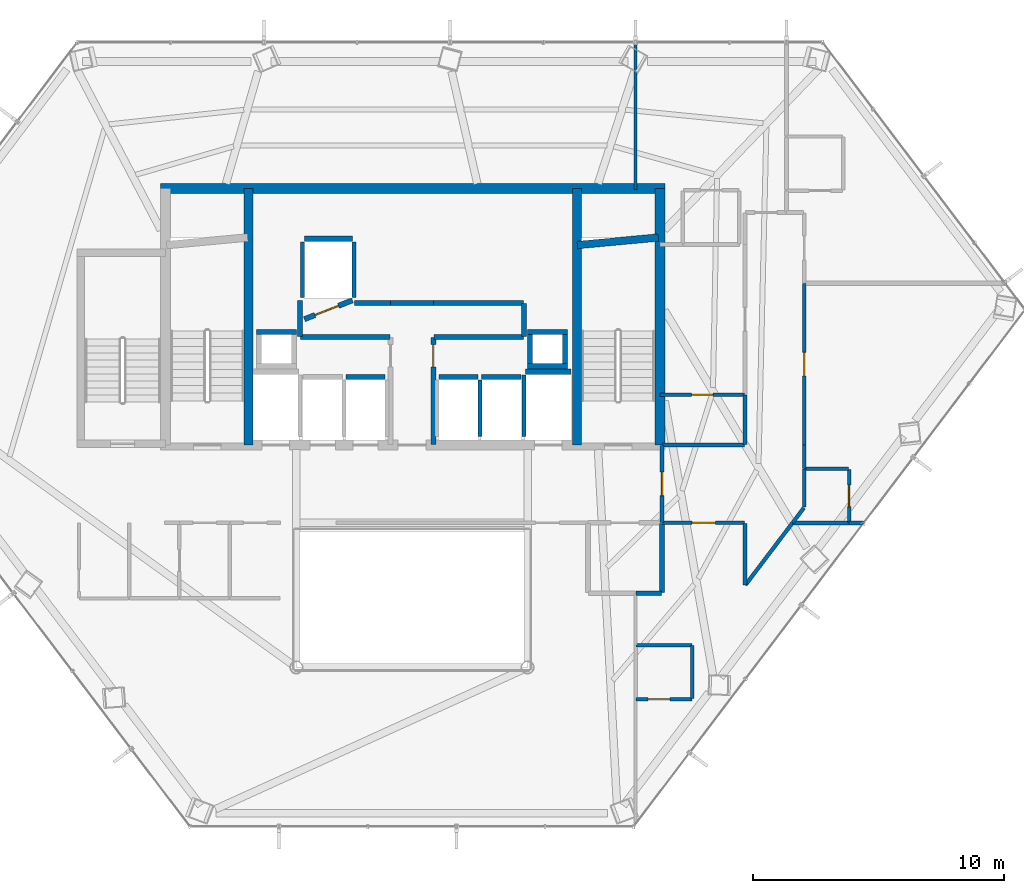
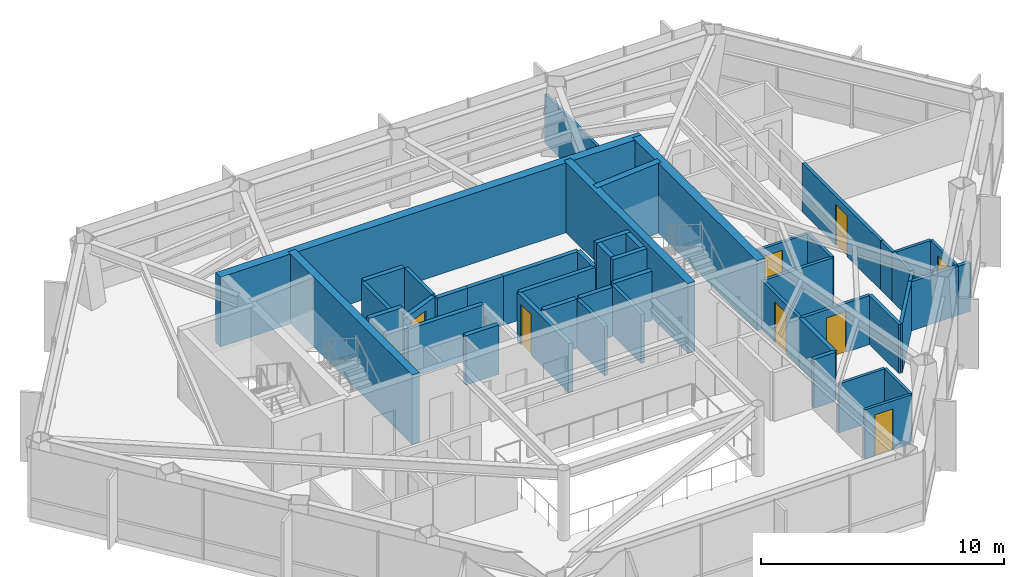
# One storey, part 28 of 30: 49 walls, 8 doors, 8 openings.
"""IFC4 building model written with IfcOpenShell, lengths in metres."""

from ifc_helpers import new_model, si_unit, direction, frame, frame_2d, origin, place, context, subcontext, project, spatial, rectangle, extrude, material, layer, layer_set, type_object, element, fill, save


model = new_model("IFC4")

# Units and contexts
model_context = context("Model", 3, precision=1e-05, world=origin(), true_north=direction((0.0, 1.0)))
body_context = subcontext(model_context, "Body", "Model", "MODEL_VIEW")
ifc_project = project(units=[si_unit("LENGTHUNIT", "METRE"), si_unit("AREAUNIT", "SQUARE_METRE"), si_unit("VOLUMEUNIT", "CUBIC_METRE"), si_unit("PLANEANGLEUNIT", "RADIAN"), si_unit("MASSUNIT", "GRAM", prefix="KILO")], contexts=[model_context])

# Site, building, storey
site_placement = place(None, origin())
site = spatial("IfcSite", under=ifc_project, at=site_placement, CompositionType="ELEMENT")
building_placement = place(site_placement, origin())
building = spatial("IfcBuilding", under=site, at=building_placement, Name="Zarrinselat Tower", CompositionType="ELEMENT")
storey_placement = place(building_placement, frame((0.0, 0.0, 130.89990234375)))
storey = spatial("IfcBuildingStorey", under=building, at=storey_placement, Name="L31", CompositionType="ELEMENT", Elevation=130.89990234375)

# Walls
ifc_material_1 = material(Name="Fire-Rated Gypsum Board Partition", Category="gypsum")
ifc_layer_1 = layer(ifc_material_1, 0.1650390625)
ifc_layer_set_1 = layer_set([ifc_layer_1], Name="Fire-Rated Gypsum Board Partition")
wall_type_1 = type_object("IfcWallType", Name="WAL-PART-DEMISE", PredefinedType="PARTITIONING", material=ifc_layer_set_1)
wall_1_placement = place(storey_placement, frame((55.7919921875, 30.14990234375, 0.0), z_axis=(0.0, 0.0, 1.0), x_axis=(1.0, 0.0, 0.0)))
element("IfcWall", 1, at=wall_1_placement, inside=storey, type_object=wall_type_1, Name="L31 Partition Wall 49", PredefinedType="PARTITIONING", context=body_context, shape_type="SweptSolid", body=[
    extrude(rectangle(XDim=0.565185546875, YDim=0.1650390625, at=frame_2d((0.28271484375, 0.0))), origin(), (0.0, 0.0, 1.0), 2.45703125),
])
wall_2_placement = place(storey_placement, frame((53.556884765625, 30.14990234375, 0.0), z_axis=(0.0, 0.0, 1.0), x_axis=(1.0, 0.0, 0.0)))
element("IfcWall", 2, at=wall_2_placement, inside=storey, type_object=wall_type_1, Name="L31 Partition Wall 50", PredefinedType="PARTITIONING", context=body_context, shape_type="SweptSolid", body=[
    extrude(rectangle(XDim=2.22509765625, YDim=0.1650390625, at=frame_2d((1.112548828125, 0.0))), origin(), (0.0, 0.0, 1.0), 2.45703125),
])
ifc_material_2 = material(Name="Concrete C40/50", Category="concrete")
ifc_layer_2 = layer(ifc_material_2, 0.18994140625)
ifc_layer_set_2 = layer_set([ifc_layer_2], Name="Concrete C40/50")
wall_type_2 = type_object("IfcWallType", Name="WAL-PART-EI120", PredefinedType="PARTITIONING", material=ifc_layer_set_2)
wall_3_placement = place(storey_placement, frame((47.304931640625, 27.35009765625, 0.0), z_axis=(0.0, 0.0, 1.0), x_axis=(1.0, 0.0, 0.0)))
element("IfcWall", 3, at=wall_3_placement, inside=storey, type_object=wall_type_2, Name="L31 Partition Wall 18", PredefinedType="PARTITIONING", context=body_context, shape_type="SweptSolid", body=[
    extrude(rectangle(XDim=1.025146484375, YDim=0.18994140625, at=frame_2d((0.5126953125, 0.0))), origin(), (0.0, 0.0, 1.0), 2.45703125),
])
wall_4_placement = place(storey_placement, frame((48.35009765625, 27.3701171875, 0.0), z_axis=(0.0, 0.0, 1.0), x_axis=(0.0, 1.0, 0.0)))
element("IfcWall", 4, at=wall_4_placement, inside=storey, type_object=wall_type_2, Name="L31 Partition Wall 19", PredefinedType="PARTITIONING", context=body_context, shape_type="SweptSolid", body=[
    extrude(rectangle(XDim=2.759765625, YDim=0.18994140625, at=frame_2d((1.3798828125, 0.0))), origin(), (0.0, 0.0, 1.0), 2.45703125),
])

# Wall, opening, door
ifc_material_3 = material(Name="Fire-Rated Gypsum Board Partition", Category="gypsum")
ifc_layer_3 = layer(ifc_material_3, 0.14990234375)
ifc_layer_set_3 = layer_set([ifc_layer_3], Name="Fire-Rated Gypsum Board Partition")
wall_type_3 = type_object("IfcWallType", Name="WAL-PART-EI60", PredefinedType="PARTITIONING", material=ifc_layer_set_3)
wall_5_placement = place(storey_placement, frame((48.35009765625, 30.169921875, 0.0), z_axis=(0.0, 0.0, 1.0), x_axis=(0.0, 1.0, 0.0)))
wall_5 = element("IfcWall", 5, at=wall_5_placement, inside=storey, type_object=wall_type_3, Name="L31 Partition Wall 11", PredefinedType="PARTITIONING", context=body_context, shape_type="SweptSolid", body=[
    extrude(rectangle(XDim=3.06005859375, YDim=0.14990234375, at=frame_2d((1.530029296875, 0.0))), origin(), (0.0, 0.0, 1.0), 2.45703125),
])
opening_1_placement = place(wall_5_placement, frame((1.06005859375, 0.0, 0.0)))
opening_1 = element("IfcOpeningElement", 6, at=opening_1_placement, cuts=wall_5, Name="Opening ID-04", PredefinedType="OPENING", context=body_context, shape_type="SweptSolid", body=[
    extrude(rectangle(XDim=0.93994140625, YDim=2.050048828125, at=frame_2d((0.469970703125, 1.02490234375))), frame((0.0, 0.0849609375, 0.0), z_axis=(0.0, -1.0, 0.0), x_axis=(1.0, 0.0, 0.0)), (0.0, 0.0, 1.0), 0.169921875),
])
ifc_material_4 = material(Name="Fire-Rated Gypsum Board Partition")
door_type_1 = type_object("IfcDoorType", Name="DR-INT-FD30-ENT", OperationType="NOTDEFINED", PredefinedType="DOOR", material=ifc_material_4)
door_1_placement = place(opening_1_placement, origin())
door_1 = element("IfcDoor", 7, at=door_1_placement, inside=storey, type_object=door_type_1, Name="L31 Interior Door P11", OperationType="SINGLE_SWING_LEFT", OverallHeight=2.050048828125, OverallWidth=0.93994140625, PredefinedType="DOOR", context=body_context, shape_type="SweptSolid", body=[
    extrude(rectangle(XDim=0.93994140625, YDim=2.050048828125, at=frame_2d((0.469970703125, 1.02490234375))), frame((0.0, 0.02490234375, 0.0), z_axis=(0.0, -1.0, 0.0), x_axis=(1.0, 0.0, 0.0)), (0.0, 0.0, 1.0), 0.050048828125),
])
fill(opening_1, door_1)

# Walls
wall_6_placement = place(storey_placement, frame((51.662109375, 27.67529296875, 0.0), z_axis=(0.0, 0.0, 1.0), x_axis=(0.603831940294, 0.797111653334, 0.0)))
element("IfcWall", 8, at=wall_6_placement, inside=storey, type_object=wall_type_3, Name="L31 Partition Wall 20", PredefinedType="PARTITIONING", context=body_context, shape_type="SweptSolid", body=[
    extrude(rectangle(XDim=3.103515625, YDim=0.14990234375, at=frame_2d((1.5517578125, 0.0))), origin(), (0.0, 0.0, 1.0), 2.45703125),
])
wall_7_placement = place(storey_placement, frame((51.64990234375, 27.67919921875, 0.0), z_axis=(0.0, 0.0, 1.0), x_axis=(0.0, 1.0, 0.0)))
element("IfcWall", 9, at=wall_7_placement, inside=storey, type_object=wall_type_3, Name="L31 Partition Wall 21", PredefinedType="PARTITIONING", context=body_context, shape_type="SweptSolid", body=[
    extrude(rectangle(XDim=2.45068359375, YDim=0.14990234375, at=frame_2d((1.225341796875, 0.0))), origin(), (0.0, 0.0, 1.0), 2.45703125),
])

# Wall, opening, door
wall_8_placement = place(storey_placement, frame((48.3701171875, 30.14990234375, 0.0), z_axis=(0.0, 0.0, 1.0), x_axis=(1.0, 0.0, 0.0)))
wall_8 = element("IfcWall", 10, at=wall_8_placement, inside=storey, type_object=wall_type_3, Name="L31 Partition Wall 22", PredefinedType="PARTITIONING", context=body_context, shape_type="SweptSolid", body=[
    extrude(rectangle(XDim=3.259765625, YDim=0.14990234375, at=frame_2d((1.6298828125, 0.0))), origin(), (0.0, 0.0, 1.0), 2.45703125),
])
opening_2_placement = place(wall_8_placement, frame((1.159912109375, 0.0, 0.0)))
opening_2 = element("IfcOpeningElement", 11, at=opening_2_placement, cuts=wall_8, Name="Opening ID-04", PredefinedType="OPENING", context=body_context, shape_type="SweptSolid", body=[
    extrude(rectangle(XDim=0.93994140625, YDim=2.050048828125, at=frame_2d((0.469970703125, 1.02490234375))), frame((0.0, 0.0849609375, 0.0), z_axis=(0.0, -1.0, 0.0), x_axis=(1.0, 0.0, 0.0)), (0.0, 0.0, 1.0), 0.169921875),
])
door_2_placement = place(opening_2_placement, origin())
door_2 = element("IfcDoor", 12, at=door_2_placement, inside=storey, type_object=door_type_1, Name="L31 Interior Door P22", OperationType="SINGLE_SWING_LEFT", OverallHeight=2.050048828125, OverallWidth=0.93994140625, PredefinedType="DOOR", context=body_context, shape_type="SweptSolid", body=[
    extrude(rectangle(XDim=0.93994140625, YDim=2.050048828125, at=frame_2d((0.469970703125, 1.02490234375))), frame((0.0, 0.02490234375, 0.0), z_axis=(0.0, -1.0, 0.0), x_axis=(1.0, 0.0, 0.0)), (0.0, 0.0, 1.0), 0.050048828125),
])
fill(opening_2, door_2)

wall_9_placement = place(storey_placement, frame((54.0, 33.25, 0.0), z_axis=(0.0, 0.0, 1.0), x_axis=(0.0, 1.0, 0.0)))
wall_9 = element("IfcWall", 13, at=wall_9_placement, inside=storey, type_object=wall_type_3, Name="L31 Partition Wall 23", PredefinedType="PARTITIONING", context=body_context, shape_type="SweptSolid", body=[
    extrude(rectangle(XDim=6.42333984375, YDim=0.14990234375, at=frame_2d((3.211669921875, 0.0))), origin(), (0.0, 0.0, 1.0), 2.45703125),
])
opening_3_placement = place(wall_9_placement, frame((2.74169921875, 0.0, 0.0)))
opening_3 = element("IfcOpeningElement", 14, at=opening_3_placement, cuts=wall_9, Name="Opening ID-04", PredefinedType="OPENING", context=body_context, shape_type="SweptSolid", body=[
    extrude(rectangle(XDim=0.93994140625, YDim=2.050048828125, at=frame_2d((0.469970703125, 1.02490234375))), frame((0.0, 0.0849609375, 0.0), z_axis=(0.0, -1.0, 0.0), x_axis=(1.0, 0.0, 0.0)), (0.0, 0.0, 1.0), 0.169921875),
])
door_3_placement = place(opening_3_placement, origin())
door_3 = element("IfcDoor", 15, at=door_3_placement, inside=storey, type_object=door_type_1, Name="L31 Interior Door P23", OperationType="SINGLE_SWING_RIGHT", OverallHeight=2.050048828125, OverallWidth=0.93994140625, PredefinedType="DOOR", context=body_context, shape_type="SweptSolid", body=[
    extrude(rectangle(XDim=0.93994140625, YDim=2.050048828125, at=frame_2d((0.469970703125, 1.02490234375))), frame((0.0, 0.02490234375, 0.0), z_axis=(0.0, -1.0, 0.0), x_axis=(1.0, 0.0, 0.0)), (0.0, 0.0, 1.0), 0.050048828125),
])
fill(opening_3, door_3)

# Walls
wall_10_placement = place(storey_placement, frame((54.0, 32.304931640625, 0.0), z_axis=(0.0, 0.0, 1.0), x_axis=(0.0, 1.0, 0.0)))
element("IfcWall", 16, at=wall_10_placement, inside=storey, type_object=wall_type_3, Name="L31 Partition Wall 24", PredefinedType="PARTITIONING", context=body_context, shape_type="SweptSolid", body=[
    extrude(rectangle(XDim=0.945068359375, YDim=0.14990234375, at=frame_2d((0.47265625, 0.0))), origin(), (0.0, 0.0, 1.0), 2.45703125),
])
wall_11_placement = place(storey_placement, frame((54.0, 30.78125, 0.0), z_axis=(0.0, 0.0, 1.0), x_axis=(0.0, 1.0, 0.0)))
element("IfcWall", 17, at=wall_11_placement, inside=storey, type_object=wall_type_3, Name="L31 Partition Wall 25", PredefinedType="PARTITIONING", context=body_context, shape_type="SweptSolid", body=[
    extrude(rectangle(XDim=1.513671875, YDim=0.14990234375, at=frame_2d((0.7568359375, 0.0))), origin(), (0.0, 0.0, 1.0), 2.45703125),
])
wall_12_placement = place(storey_placement, frame((53.5400390625, 30.154052734375, 0.0), z_axis=(0.0, 0.0, 1.0), x_axis=(0.603680225987, 0.797226557982, 0.0)))
element("IfcWall", 18, at=wall_12_placement, inside=storey, type_object=wall_type_3, Name="L31 Partition Wall 26", PredefinedType="PARTITIONING", context=body_context, shape_type="SweptSolid", body=[
    extrude(rectangle(XDim=0.74169921875, YDim=0.14990234375, at=frame_2d((0.370849609375, 0.0))), origin(), (0.0, 0.0, 1.0), 2.45703125),
])
wall_13_placement = place(storey_placement, frame((48.364990234375, 33.25, 0.0), z_axis=(0.0, 0.0, 1.0), x_axis=(1.0, 0.0, 0.0)))
element("IfcWall", 19, at=wall_13_placement, inside=storey, type_object=wall_type_3, Name="L31 Partition Wall 30", PredefinedType="PARTITIONING", context=body_context, shape_type="SweptSolid", body=[
    extrude(rectangle(XDim=3.264892578125, YDim=0.14990234375, at=frame_2d((1.63232421875, 0.0))), origin(), (0.0, 0.0, 1.0), 2.45703125),
])
wall_14_placement = place(storey_placement, frame((51.64990234375, 33.27001953125, 0.0), z_axis=(0.0, 0.0, 1.0), x_axis=(0.0, 1.0, 0.0)))
element("IfcWall", 20, at=wall_14_placement, inside=storey, type_object=wall_type_3, Name="L31 Partition Wall 31", PredefinedType="PARTITIONING", context=body_context, shape_type="SweptSolid", body=[
    extrude(rectangle(XDim=1.969482421875, YDim=0.14990234375, at=frame_2d((0.98486328125, 0.0))), origin(), (0.0, 0.0, 1.0), 2.45703125),
])
ifc_material_5 = material(Name="Concrete C40/50", Category="concrete")
ifc_layer_4 = layer(ifc_material_5, 0.199951171875)
ifc_layer_set_4 = layer_set([ifc_layer_4], Name="Concrete C40/50")
wall_type_4 = type_object("IfcWallType", Name="WAL-PART-PLANT", PredefinedType="PARTITIONING", material=ifc_layer_set_4)
wall_15_placement = place(storey_placement, frame((33.969970703125, 37.550048828125, 0.0), z_axis=(0.0, 0.0, 1.0), x_axis=(1.0, 0.0, 0.0)))
element("IfcWall", 21, at=wall_15_placement, inside=storey, type_object=wall_type_4, Name="L31 Partition Wall 2", PredefinedType="PARTITIONING", context=body_context, shape_type="SweptSolid", body=[
    extrude(rectangle(XDim=3.56005859375, YDim=0.199951171875, at=frame_2d((1.780029296875, 0.0))), origin(), (0.0, 0.0, 1.0), 2.45703125),
])
wall_16_placement = place(storey_placement, frame((33.949951171875, 37.570068359375, 0.0), z_axis=(0.0, 0.0, 1.0), x_axis=(0.0, 1.0, 0.0)))
element("IfcWall", 22, at=wall_16_placement, inside=storey, type_object=wall_type_4, Name="L31 Partition Wall 3", PredefinedType="PARTITIONING", context=body_context, shape_type="SweptSolid", body=[
    extrude(rectangle(XDim=1.4150390625, YDim=0.199951171875, at=frame_2d((0.70751953125, 0.0))), origin(), (0.0, 0.0, 1.0), 2.45703125),
])
wall_17_placement = place(storey_placement, frame((36.114990234375, 38.889892578125, 0.0), z_axis=(0.0, 0.0, 1.0), x_axis=(1.0, 0.0, 0.0)))
element("IfcWall", 23, at=wall_17_placement, inside=storey, type_object=wall_type_4, Name="L31 Partition Wall 4", PredefinedType="PARTITIONING", context=body_context, shape_type="SweptSolid", body=[
    extrude(rectangle(XDim=1.43505859375, YDim=0.199951171875, at=frame_2d((0.717529296875, 0.0))), origin(), (0.0, 0.0, 1.0), 2.45703125),
])
wall_18_placement = place(storey_placement, frame((37.550048828125, 38.889892578125, 0.0), z_axis=(0.0, 0.0, 1.0), x_axis=(1.0, 0.0, 0.0)))
element("IfcWall", 24, at=wall_18_placement, inside=storey, type_object=wall_type_4, Name="L31 Partition Wall 5", PredefinedType="PARTITIONING", context=body_context, shape_type="SweptSolid", body=[
    extrude(rectangle(XDim=1.699951171875, YDim=0.199951171875, at=frame_2d((0.85009765625, 0.0))), origin(), (0.0, 0.0, 1.0), 2.45703125),
])
wall_19_placement = place(storey_placement, frame((39.25, 38.889892578125, 0.0), z_axis=(0.0, 0.0, 1.0), x_axis=(1.0, 0.0, 0.0)))
element("IfcWall", 25, at=wall_19_placement, inside=storey, type_object=wall_type_4, Name="L31 Partition Wall 6", PredefinedType="PARTITIONING", context=body_context, shape_type="SweptSolid", body=[
    extrude(rectangle(XDim=3.580078125, YDim=0.199951171875, at=frame_2d((1.7900390625, 0.0))), origin(), (0.0, 0.0, 1.0), 2.45703125),
])
wall_20_placement = place(storey_placement, frame((42.85009765625, 37.570068359375, 0.0), z_axis=(0.0, 0.0, 1.0), x_axis=(0.0, 1.0, 0.0)))
element("IfcWall", 26, at=wall_20_placement, inside=storey, type_object=wall_type_4, Name="L31 Partition Wall 7", PredefinedType="PARTITIONING", context=body_context, shape_type="SweptSolid", body=[
    extrude(rectangle(XDim=1.300048828125, YDim=0.199951171875, at=frame_2d((0.64990234375, 0.0))), origin(), (0.0, 0.0, 1.0), 2.45703125),
])
wall_21_placement = place(storey_placement, frame((39.27001953125, 37.550048828125, 0.0), z_axis=(0.0, 0.0, 1.0), x_axis=(1.0, 0.0, 0.0)))
element("IfcWall", 27, at=wall_21_placement, inside=storey, type_object=wall_type_4, Name="L31 Partition Wall 8", PredefinedType="PARTITIONING", context=body_context, shape_type="SweptSolid", body=[
    extrude(rectangle(XDim=3.56005859375, YDim=0.199951171875, at=frame_2d((1.780029296875, 0.0))), origin(), (0.0, 0.0, 1.0), 2.45703125),
])

# Wall, opening, door
wall_22_placement = place(storey_placement, frame((39.25, 33.264892578125, 0.0), z_axis=(0.0, 0.0, 1.0), x_axis=(0.0, 1.0, 0.0)))
wall_22 = element("IfcWall", 28, at=wall_22_placement, inside=storey, type_object=wall_type_4, Name="L31 Partition Wall 9", PredefinedType="PARTITIONING", context=body_context, shape_type="SweptSolid", body=[
    extrude(rectangle(XDim=4.26513671875, YDim=0.199951171875, at=frame_2d((2.132568359375, 0.0))), origin(), (0.0, 0.0, 1.0), 2.45703125),
])
opening_4_placement = place(wall_22_placement, frame((3.092529296875, 0.0, 0.0)))
opening_4 = element("IfcOpeningElement", 29, at=opening_4_placement, cuts=wall_22, Name="Opening ID-03", PredefinedType="OPENING", context=body_context, shape_type="SweptSolid", body=[
    extrude(rectangle(XDim=0.8798828125, YDim=2.050048828125, at=frame_2d((0.43994140625, 1.02490234375))), frame((0.0, 0.10986328125, 0.0), z_axis=(0.0, -1.0, 0.0), x_axis=(1.0, 0.0, 0.0)), (0.0, 0.0, 1.0), 0.219970703125),
])
ifc_material_6 = material(Name="Steel S355J2", Category="steel")
door_type_2 = type_object("IfcDoorType", Name="DR-INT-FD60-S", OperationType="NOTDEFINED", PredefinedType="DOOR", material=ifc_material_6)
door_4_placement = place(opening_4_placement, origin())
door_4 = element("IfcDoor", 30, at=door_4_placement, inside=storey, type_object=door_type_2, Name="L31 Interior Door P9", OperationType="SINGLE_SWING_LEFT", OverallHeight=2.050048828125, OverallWidth=0.8798828125, PredefinedType="DOOR", context=body_context, shape_type="SweptSolid", body=[
    extrude(rectangle(XDim=0.8798828125, YDim=2.050048828125, at=frame_2d((0.43994140625, 1.02490234375))), frame((0.0, 0.02490234375, 0.0), z_axis=(0.0, -1.0, 0.0), x_axis=(1.0, 0.0, 0.0)), (0.0, 0.0, 1.0), 0.050048828125),
])
fill(opening_4, door_4)

# Wall
ifc_material_7 = material(Name="Fire-Rated Gypsum Board Partition", Category="gypsum")
ifc_layer_5 = layer(ifc_material_7, 0.1201171875)
ifc_layer_set_5 = layer_set([ifc_layer_5], Name="Fire-Rated Gypsum Board Partition")
wall_type_5 = type_object("IfcWallType", Name="WAL-PART-STD", PredefinedType="PARTITIONING", material=ifc_layer_set_5)
wall_23_placement = place(storey_placement, frame((47.300048828125, 43.4150390625, 0.0), z_axis=(0.0, 0.0, 1.0), x_axis=(0.0, 1.0, 0.0)))
element("IfcWall", 31, at=wall_23_placement, inside=storey, type_object=wall_type_5, Name="L31 Partition Wall 45", PredefinedType="PARTITIONING", context=body_context, shape_type="SweptSolid", body=[
    extrude(rectangle(XDim=5.836669921875, YDim=0.1201171875, at=frame_2d((2.91845703125, 0.0))), origin(), (0.0, 0.0, 1.0), 2.45703125),
])

# Wall, opening, door
ifc_material_8 = material(Name="Fire-Rated Gypsum Board Partition", Category="gypsum")
ifc_layer_6 = layer(ifc_material_8, 0.135009765625)
ifc_layer_set_6 = layer_set([ifc_layer_6], Name="Fire-Rated Gypsum Board Partition")
wall_type_6 = type_object("IfcWallType", Name="WAL-PART-WET", PredefinedType="PARTITIONING", material=ifc_layer_set_6)
wall_24_placement = place(storey_placement, frame((47.320068359375, 23.136962890625, 0.0), z_axis=(0.0, 0.0, 1.0), x_axis=(1.0, 0.0, 0.0)))
wall_24 = element("IfcWall", 32, at=wall_24_placement, inside=storey, type_object=wall_type_6, Name="L31 Partition Wall 46", PredefinedType="PARTITIONING", context=body_context, shape_type="SweptSolid", body=[
    extrude(rectangle(XDim=2.2099609375, YDim=0.135009765625, at=frame_2d((1.10498046875, 0.0))), origin(), (0.0, 0.0, 1.0), 2.45703125),
])
opening_5_placement = place(wall_24_placement, frame((0.47509765625, 0.0, 0.0)))
opening_5 = element("IfcOpeningElement", 33, at=opening_5_placement, cuts=wall_24, Name="Opening ID-06", PredefinedType="OPENING", context=body_context, shape_type="SweptSolid", body=[
    extrude(rectangle(XDim=0.860107421875, YDim=2.050048828125, at=frame_2d((0.43017578125, 1.02490234375))), frame((0.0, 0.077392578125, 0.0), z_axis=(0.0, -1.0, 0.0), x_axis=(1.0, 0.0, 0.0)), (0.0, 0.0, 1.0), 0.155029296875),
])
ifc_material_9 = material(Name="Extruded Aluminium Alloy EN AW-6063 T6", Category="aluminium")
door_type_3 = type_object("IfcDoorType", Name="DR-INT-WET-900", OperationType="NOTDEFINED", PredefinedType="DOOR", material=ifc_material_9)
door_5_placement = place(opening_5_placement, origin())
door_5 = element("IfcDoor", 34, at=door_5_placement, inside=storey, type_object=door_type_3, Name="L31 Interior Door P46", OperationType="SINGLE_SWING_RIGHT", OverallHeight=2.050048828125, OverallWidth=0.860107421875, PredefinedType="DOOR", context=body_context, shape_type="SweptSolid", body=[
    extrude(rectangle(XDim=0.860107421875, YDim=2.050048828125, at=frame_2d((0.43017578125, 1.02490234375))), frame((0.0, 0.02490234375, 0.0), z_axis=(0.0, -1.0, 0.0), x_axis=(1.0, 0.0, 0.0)), (0.0, 0.0, 1.0), 0.050048828125),
])
fill(opening_5, door_5)

# Walls
wall_25_placement = place(storey_placement, frame((49.550048828125, 23.156982421875, 0.0), z_axis=(0.0, 0.0, 1.0), x_axis=(0.0, 1.0, 0.0)))
element("IfcWall", 35, at=wall_25_placement, inside=storey, type_object=wall_type_6, Name="L31 Partition Wall 47", PredefinedType="PARTITIONING", context=body_context, shape_type="SweptSolid", body=[
    extrude(rectangle(XDim=2.110107421875, YDim=0.135009765625, at=frame_2d((1.05517578125, 0.0))), origin(), (0.0, 0.0, 1.0), 2.45703125),
])
wall_26_placement = place(storey_placement, frame((47.320068359375, 25.287109375, 0.0), z_axis=(0.0, 0.0, 1.0), x_axis=(1.0, 0.0, 0.0)))
element("IfcWall", 36, at=wall_26_placement, inside=storey, type_object=wall_type_6, Name="L31 Partition Wall 48", PredefinedType="PARTITIONING", context=body_context, shape_type="SweptSolid", body=[
    extrude(rectangle(XDim=2.2099609375, YDim=0.135009765625, at=frame_2d((1.10498046875, 0.0))), origin(), (0.0, 0.0, 1.0), 2.45703125),
])

# Wall, opening, door
wall_27_placement = place(storey_placement, frame((55.786865234375, 30.169921875, 0.0), z_axis=(0.0, 0.0, 1.0), x_axis=(0.0, 1.0, 0.0)))
wall_27 = element("IfcWall", 37, at=wall_27_placement, inside=storey, type_object=wall_type_6, Name="L31 Partition Wall 51", PredefinedType="PARTITIONING", context=body_context, shape_type="SweptSolid", body=[
    extrude(rectangle(XDim=2.110107421875, YDim=0.135009765625, at=frame_2d((1.05517578125, 0.0))), origin(), (0.0, 0.0, 1.0), 2.45703125),
])
opening_6_placement = place(wall_27_placement, frame((0.625, 0.0, 0.0)))
opening_6 = element("IfcOpeningElement", 38, at=opening_6_placement, cuts=wall_27, Name="Opening ID-06", PredefinedType="OPENING", context=body_context, shape_type="SweptSolid", body=[
    extrude(rectangle(XDim=0.860107421875, YDim=2.050048828125, at=frame_2d((0.43017578125, 1.02490234375))), frame((0.0, 0.077392578125, 0.0), z_axis=(0.0, -1.0, 0.0), x_axis=(1.0, 0.0, 0.0)), (0.0, 0.0, 1.0), 0.155029296875),
])
door_6_placement = place(opening_6_placement, origin())
door_6 = element("IfcDoor", 39, at=door_6_placement, inside=storey, type_object=door_type_3, Name="L31 Interior Door P51", OperationType="SINGLE_SWING_LEFT", OverallHeight=2.050048828125, OverallWidth=0.860107421875, PredefinedType="DOOR", context=body_context, shape_type="SweptSolid", body=[
    extrude(rectangle(XDim=0.860107421875, YDim=2.050048828125, at=frame_2d((0.43017578125, 1.02490234375))), frame((0.0, 0.02490234375, 0.0), z_axis=(0.0, -1.0, 0.0), x_axis=(1.0, 0.0, 0.0)), (0.0, 0.0, 1.0), 0.050048828125),
])
fill(opening_6, door_6)

# Wall
wall_28_placement = place(storey_placement, frame((54.02001953125, 32.300048828125, 0.0), z_axis=(0.0, 0.0, 1.0), x_axis=(1.0, 0.0, 0.0)))
element("IfcWall", 40, at=wall_28_placement, inside=storey, type_object=wall_type_6, Name="L31 Partition Wall 52", PredefinedType="PARTITIONING", context=body_context, shape_type="SweptSolid", body=[
    extrude(rectangle(XDim=1.746826171875, YDim=0.135009765625, at=frame_2d((0.87353515625, 0.0))), origin(), (0.0, 0.0, 1.0), 2.45703125),
])

# Wall, opening, door
wall_29_placement = place(storey_placement, frame((48.27490234375, 35.24462890625, 0.0), z_axis=(0.0, 0.0, 1.0), x_axis=(1.0, 0.0, 0.0)))
wall_29 = element("IfcWall", 41, at=wall_29_placement, inside=storey, type_object=wall_type_6, Name="L31 Partition Wall 60", PredefinedType="PARTITIONING", context=body_context, shape_type="SweptSolid", body=[
    extrude(rectangle(XDim=3.35498046875, YDim=0.135009765625, at=frame_2d((1.677490234375, 0.0))), origin(), (0.0, 0.0, 1.0), 2.45703125),
])
opening_7_placement = place(wall_29_placement, frame((1.24755859375, 0.0, 0.0)))
opening_7 = element("IfcOpeningElement", 42, at=opening_7_placement, cuts=wall_29, Name="Opening ID-06", PredefinedType="OPENING", context=body_context, shape_type="SweptSolid", body=[
    extrude(rectangle(XDim=0.860107421875, YDim=2.050048828125, at=frame_2d((0.43017578125, 1.02490234375))), frame((0.0, 0.077392578125, 0.0), z_axis=(0.0, -1.0, 0.0), x_axis=(1.0, 0.0, 0.0)), (0.0, 0.0, 1.0), 0.155029296875),
])
door_7_placement = place(opening_7_placement, origin())
door_7 = element("IfcDoor", 43, at=door_7_placement, inside=storey, type_object=door_type_3, Name="L31 Interior Door P60", OperationType="SINGLE_SWING_LEFT", OverallHeight=2.050048828125, OverallWidth=0.860107421875, PredefinedType="DOOR", context=body_context, shape_type="SweptSolid", body=[
    extrude(rectangle(XDim=0.860107421875, YDim=2.050048828125, at=frame_2d((0.43017578125, 1.02490234375))), frame((0.0, 0.02490234375, 0.0), z_axis=(0.0, -1.0, 0.0), x_axis=(1.0, 0.0, 0.0)), (0.0, 0.0, 1.0), 0.050048828125),
])
fill(opening_7, door_7)

# Walls
ifc_material_10 = material(Name="Concrete C40/50", Category="concrete")
ifc_layer_7 = layer(ifc_material_10, 0.2099609375)
ifc_layer_set_7 = layer_set([ifc_layer_7], Name="Concrete C40/50")
wall_type_7 = type_object("IfcWallType", Name="WAL-SHAFT-210", PredefinedType="SOLIDWALL", material=ifc_layer_set_7)
wall_30_placement = place(storey_placement, frame((42.919921875, 36.155029296875, 0.0), z_axis=(0.0, 0.0, 1.0), x_axis=(1.0, 0.0, 0.0)))
element("IfcWall", 44, at=wall_30_placement, inside=storey, type_object=wall_type_7, Name="L31 Lift FFL2 North Shaft Wall", PredefinedType="SOLIDWALL", context=body_context, shape_type="SweptSolid", body=[
    extrude(rectangle(XDim=1.800048828125, YDim=0.2099609375, at=frame_2d((0.89990234375, 0.0))), origin(), (0.0, 0.0, 1.0), 2.47216796875),
])
wall_31_placement = place(storey_placement, frame((42.85009765625, 33.580078125, 0.0), z_axis=(0.0, 0.0, 1.0), x_axis=(0.0, 1.0, 0.0)))
element("IfcWall", 45, at=wall_31_placement, inside=storey, type_object=wall_type_7, Name="L31 Lift FFL2 W Shaft Wall", PredefinedType="SOLIDWALL", context=body_context, shape_type="SweptSolid", body=[
    extrude(rectangle(XDim=2.449951171875, YDim=0.159912109375, at=frame_2d((1.22509765625, 0.0))), origin(), (0.0, 0.0, 1.0), 2.47216796875),
])
wall_32_placement = place(storey_placement, frame((35.77001953125, 35.955078125, 0.0), z_axis=(0.0, 0.0, 1.0), x_axis=(1.0, 0.0, 0.0)))
element("IfcWall", 46, at=wall_32_placement, inside=storey, type_object=wall_type_7, Name="L31 Lift PL6 North Shaft Wall", PredefinedType="SOLIDWALL", context=body_context, shape_type="SweptSolid", body=[
    extrude(rectangle(XDim=1.56005859375, YDim=0.2099609375, at=frame_2d((0.780029296875, 0.0))), origin(), (0.0, 0.0, 1.0), 2.47216796875),
])

# Wall, opening, door
wall_33_placement = place(storey_placement, frame((34.1201171875, 38.25, 0.0), z_axis=(0.0, 0.0, 1.0), x_axis=(0.930804993012, 0.36551616241, 0.0)))
wall_33 = element("IfcWall", 47, at=wall_33_placement, inside=storey, type_object=wall_type_7, Name="L31 Lift PL7 Front Shaft Wall", PredefinedType="SOLIDWALL", context=body_context, shape_type="SweptSolid", body=[
    extrude(rectangle(XDim=2.052001953125, YDim=0.2099609375, at=frame_2d((1.02587890625, 0.0))), origin(), (0.0, 0.0, 1.0), 2.47216796875),
])
opening_8_placement = place(wall_33_placement, frame((0.455078125, 0.0, 0.0)))
opening_8 = element("IfcOpeningElement", 48, at=opening_8_placement, cuts=wall_33, Name="Opening LD-PL7", PredefinedType="OPENING", context=body_context, shape_type="SweptSolid", body=[
    extrude(rectangle(XDim=1.0, YDim=2.10009765625, at=frame_2d((0.5, 1.050048828125))), frame((0.0, 0.114990234375, 0.0), z_axis=(0.0, -1.0, 0.0), x_axis=(1.0, 0.0, 0.0)), (0.0, 0.0, 1.0), 0.22998046875),
])
ifc_material_11 = material(Name="Steel S355J2", Category="steel")
door_type_4 = type_object("IfcDoorType", Name="DR-LIFT-PS-1000", OperationType="NOTDEFINED", PredefinedType="DOOR", material=ifc_material_11)
door_8_placement = place(opening_8_placement, origin())
door_8 = element("IfcDoor", 49, at=door_8_placement, inside=storey, type_object=door_type_4, Name="L31 Lift PL7 Sliding Landing Door", OperationType="SLIDING_TO_LEFT", OverallHeight=2.10009765625, OverallWidth=1.0, PredefinedType="DOOR", context=body_context, shape_type="SweptSolid", body=[
    extrude(rectangle(XDim=1.0, YDim=2.10009765625, at=frame_2d((0.5, 1.050048828125))), frame((0.0, 0.02490234375, 0.0), z_axis=(0.0, -1.0, 0.0), x_axis=(1.0, 0.0, 0.0)), (0.0, 0.0, 1.0), 0.050048828125),
])
fill(opening_8, door_8)

# Walls
wall_34_placement = place(storey_placement, frame((34.1201171875, 41.455078125, 0.0), z_axis=(0.0, 0.0, 1.0), x_axis=(1.0, 0.0, 0.0)))
element("IfcWall", 50, at=wall_34_placement, inside=storey, type_object=wall_type_7, Name="L31 Lift PL7 Rear Shaft Wall", PredefinedType="SOLIDWALL", context=body_context, shape_type="SweptSolid", body=[
    extrude(rectangle(XDim=1.909912109375, YDim=0.2099609375, at=frame_2d((0.955078125, 0.0))), origin(), (0.0, 0.0, 1.0), 2.47216796875),
])
for number, where, z_axis, x_axis, name in (
    (51, (34.050048828125, 39.1201171875, 0.0), (0.0, 0.0, 1.0), (0.0, 1.0, 0.0), "L31 Lift PL7 W Shaft Wall"),
    (52, (36.10009765625, 39.1201171875, 0.0), (0.0, 0.0, 1.0), (0.0, 1.0, 0.0), "L31 Lift PL7 E Shaft Wall"),
):
    element("IfcWall", number, at=place(storey_placement, frame(where, z_axis=z_axis, x_axis=x_axis)), inside=storey, type_object=wall_type_7, Name=name, PredefinedType="SOLIDWALL", context=body_context, shape_type="SweptSolid", body=[
        extrude(rectangle(XDim=2.2099609375, YDim=0.159912109375, at=frame_2d((1.10498046875, 0.0))), origin(), (0.0, 0.0, 1.0), 2.47216796875),
    ])
wall_35_placement = place(storey_placement, frame((39.469970703125, 35.955078125, 0.0), z_axis=(0.0, 0.0, 1.0), x_axis=(1.0, 0.0, 0.0)))
element("IfcWall", 53, at=wall_35_placement, inside=storey, type_object=wall_type_7, Name="L31 Lift PL8 North Shaft Wall", PredefinedType="SOLIDWALL", context=body_context, shape_type="SweptSolid", body=[
    extrude(rectangle(XDim=1.56005859375, YDim=0.2099609375, at=frame_2d((0.780029296875, 0.0))), origin(), (0.0, 0.0, 1.0), 2.47216796875),
])
wall_36_placement = place(storey_placement, frame((41.10009765625, 33.580078125, 0.0), z_axis=(0.0, 0.0, 1.0), x_axis=(0.0, 1.0, 0.0)))
element("IfcWall", 54, at=wall_36_placement, inside=storey, type_object=wall_type_7, Name="L31 Lift PL8 E Shaft Wall", PredefinedType="SOLIDWALL", context=body_context, shape_type="SweptSolid", body=[
    extrude(rectangle(XDim=2.25, YDim=0.159912109375, at=frame_2d((1.125, 0.0))), origin(), (0.0, 0.0, 1.0), 2.47216796875),
])
wall_37_placement = place(storey_placement, frame((41.169921875, 35.955078125, 0.0), z_axis=(0.0, 0.0, 1.0), x_axis=(1.0, 0.0, 0.0)))
element("IfcWall", 55, at=wall_37_placement, inside=storey, type_object=wall_type_7, Name="L31 Lift PL9 North Shaft Wall", PredefinedType="SOLIDWALL", context=body_context, shape_type="SweptSolid", body=[
    extrude(rectangle(XDim=1.56005859375, YDim=0.2099609375, at=frame_2d((0.780029296875, 0.0))), origin(), (0.0, 0.0, 1.0), 2.47216796875),
])
for number, where, z_axis, x_axis, name in (
    (56, (32.2099609375, 37.7451171875, 0.0), (0.0, 0.0, 1.0), (1.0, 0.0, 0.0), "L31 Core Riser RSR-W N Shaft Wall"),
    (57, (42.989990234375, 36.375, 0.0), (0.0, 0.0, 1.0), (1.0, 0.0, 0.0), "L31 Core Riser RSR-E S Shaft Wall"),
    (58, (42.989990234375, 37.7451171875, 0.0), (0.0, 0.0, 1.0), (1.0, 0.0, 0.0), "L31 Core Riser RSR-E N Shaft Wall"),
):
    element("IfcWall", number, at=place(storey_placement, frame(where, z_axis=z_axis, x_axis=x_axis)), inside=storey, type_object=wall_type_7, Name=name, PredefinedType="SOLIDWALL", context=body_context, shape_type="SweptSolid", body=[
        extrude(rectangle(XDim=1.60009765625, YDim=0.2099609375, at=frame_2d((0.800048828125, 0.0))), origin(), (0.0, 0.0, 1.0), 3.5),
    ])
for number, where, z_axis, x_axis, name in (
    (59, (43.094970703125, 36.485107421875, 0.0), (0.0, 0.0, 1.0), (0.0, 1.0, 0.0), "L31 Core Riser RSR-E W Shaft Wall"),
    (60, (44.485107421875, 36.485107421875, 0.0), (0.0, 0.0, 1.0), (0.0, 1.0, 0.0), "L31 Core Riser RSR-E E Shaft Wall"),
):
    element("IfcWall", number, at=place(storey_placement, frame(where, z_axis=z_axis, x_axis=x_axis)), inside=storey, type_object=wall_type_7, Name=name, PredefinedType="SOLIDWALL", context=body_context, shape_type="SweptSolid", body=[
        extrude(rectangle(XDim=1.14990234375, YDim=0.2099609375, at=frame_2d((0.574951171875, 0.0))), origin(), (0.0, 0.0, 1.0), 3.5),
    ])
ifc_material_12 = material(Name="Concrete C40/50", Category="concrete")
ifc_layer_8 = layer(ifc_material_12, 0.300048828125)
ifc_layer_set_8 = layer_set([ifc_layer_8], Name="Concrete C40/50")
wall_type_8 = type_object("IfcWallType", Name="WAL-SHEAR-300", PredefinedType="SHEAR", material=ifc_layer_set_8)
wall_38_placement = place(storey_placement, frame((44.97998046875, 41.199951171875, 0.0), z_axis=(0.0, 0.0, 1.0), x_axis=(0.995686468965, 0.09278176286, 0.0)))
element("IfcWall", 61, at=wall_38_placement, inside=storey, type_object=wall_type_8, Name="L31 Stair 2 North Shaft Wall", PredefinedType="SHEAR", context=body_context, shape_type="SweptSolid", body=[
    extrude(rectangle(XDim=3.23388671875, YDim=0.300048828125, at=frame_2d((1.616943359375, 0.0))), origin(), (0.0, 0.0, 1.0), 3.5),
])
ifc_material_13 = material(Name="Concrete C50/60", Category="concrete")
ifc_layer_9 = layer(ifc_material_13, 0.35009765625)
ifc_layer_set_9 = layer_set([ifc_layer_9], Name="Concrete C50/60")
wall_type_9 = type_object("IfcWallType", Name="WAL-SHEAR-350", PredefinedType="SHEAR", material=ifc_layer_set_9)
for number, where, z_axis, x_axis, name in (
    (62, (31.89501953125, 33.25, 0.0), (0.0, 0.0, 1.0), (0.0, 1.0, 0.0), "L31 Core Shear Wall ST1E"),
    (63, (44.965087890625, 33.25, 0.0), (0.0, 0.0, 1.0), (0.0, 1.0, 0.0), "L31 Core Shear Wall ST2W"),
):
    element("IfcWall", number, at=place(storey_placement, frame(where, z_axis=z_axis, x_axis=x_axis)), inside=storey, type_object=wall_type_9, Name=name, PredefinedType="SHEAR", context=body_context, shape_type="SweptSolid", body=[
        extrude(rectangle(XDim=10.199951171875, YDim=0.35009765625, at=frame_2d((5.10009765625, 0.0))), origin(), (0.0, 0.0, 1.0), 3.5),
    ])
ifc_material_14 = material(Name="Concrete C60/75", Category="concrete")
ifc_layer_10 = layer(ifc_material_14, 0.39990234375)
ifc_layer_set_10 = layer_set([ifc_layer_10], Name="Concrete C60/75")
wall_type_10 = type_object("IfcWallType", Name="WAL-SHEAR-400", PredefinedType="SHEAR", material=ifc_layer_set_10)
wall_39_placement = place(storey_placement, frame((28.39990234375, 43.449951171875, 0.0), z_axis=(0.0, 0.0, 1.0), x_axis=(1.0, 0.0, 0.0)))
element("IfcWall", 64, at=wall_39_placement, inside=storey, type_object=wall_type_10, Name="L31 North Core Shear Wall", PredefinedType="SHEAR", context=body_context, shape_type="SweptSolid", body=[
    extrude(rectangle(XDim=20.06005859375, YDim=0.39990234375, at=frame_2d((10.030029296875, 0.0))), origin(), (0.0, 0.0, 1.0), 3.5),
])
wall_40_placement = place(storey_placement, frame((48.260009765625, 33.25, 0.0), z_axis=(0.0, 0.0, 1.0), x_axis=(0.0, 1.0, 0.0)))
element("IfcWall", 65, at=wall_40_placement, inside=storey, type_object=wall_type_10, Name="L31 Core Shear Wall E", PredefinedType="SHEAR", context=body_context, shape_type="SweptSolid", body=[
    extrude(rectangle(XDim=10.199951171875, YDim=0.39990234375, at=frame_2d((5.10009765625, 0.0))), origin(), (0.0, 0.0, 1.0), 3.5),
])

save(model, "model.ifc")
